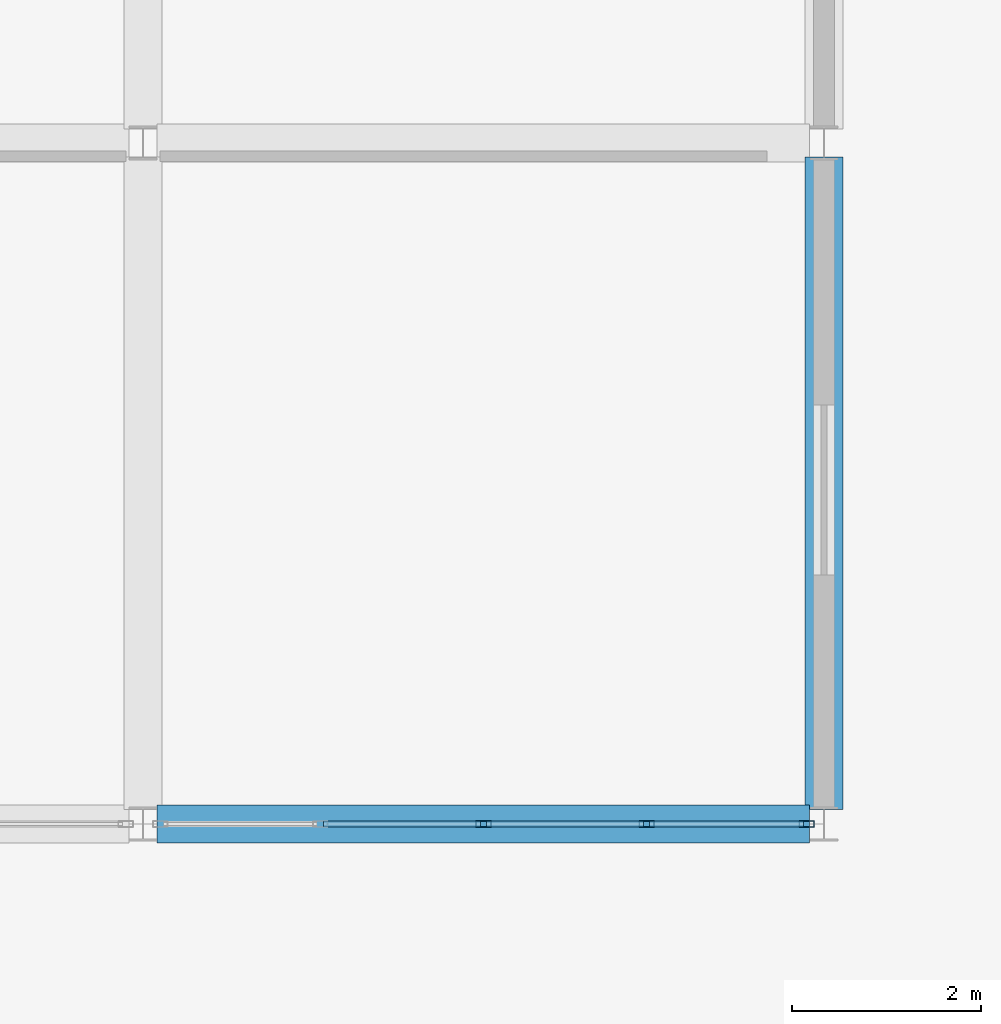
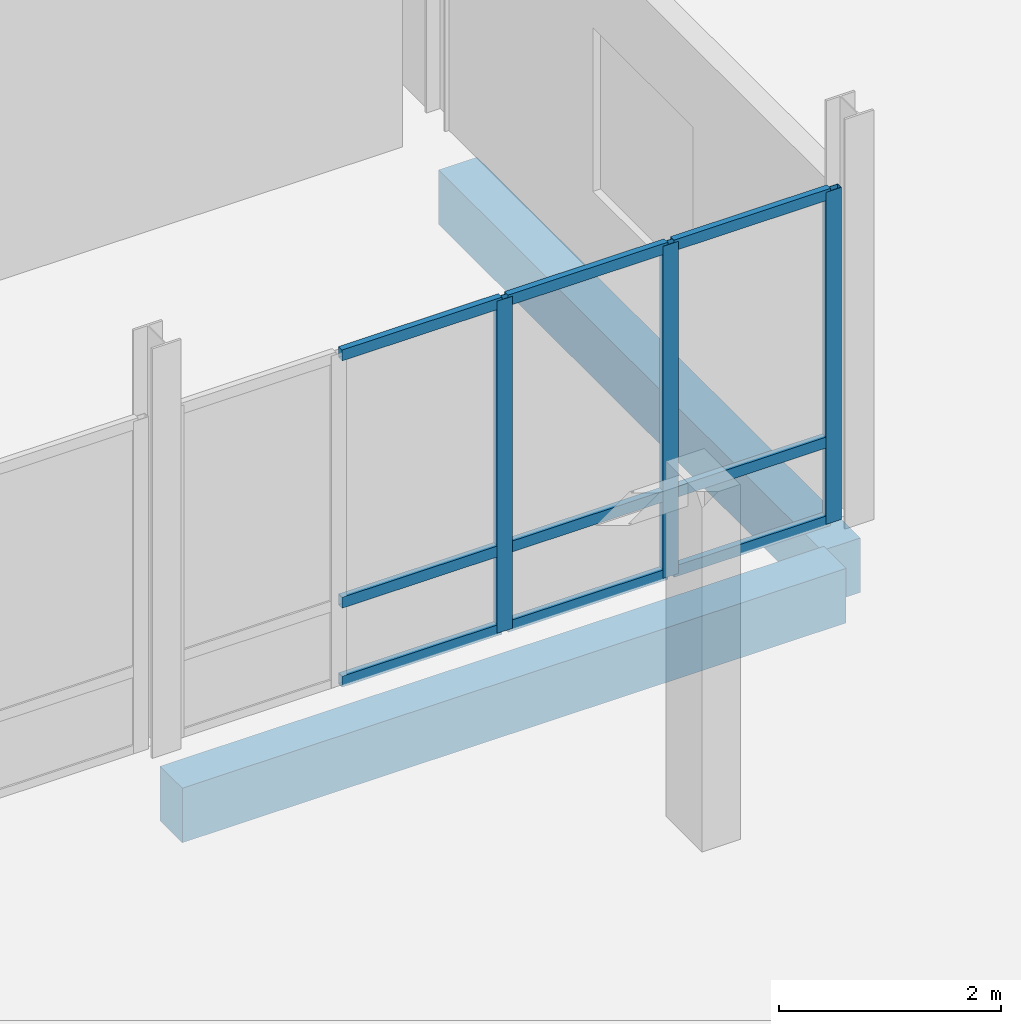
# One storey, part 83 of 139: 12 members, 2 beams, 1 element without a shape of its own.
"""IFC4 building model written with IfcOpenShell, lengths in metres."""

from ifc_helpers import new_model, si_unit, direction, frame, origin, origin_2d, place, context, subcontext, project, spatial, rectangle, hollow_rectangle, extrude, material, material_profile, profile_set, type_object, element, aggregate, save


model = new_model("IFC4")

# Units and contexts
model_context = context("Model", 3, precision=1e-05, world=origin(), true_north=direction((0.0, 1.0)))
body_context = subcontext(model_context, "Body", "Model", "MODEL_VIEW")
ifc_project = project(units=[si_unit("LENGTHUNIT", "METRE"), si_unit("AREAUNIT", "SQUARE_METRE"), si_unit("VOLUMEUNIT", "CUBIC_METRE"), si_unit("PLANEANGLEUNIT", "RADIAN"), si_unit("MASSUNIT", "GRAM", prefix="KILO")], contexts=[model_context])

# Site, building, storey
site_placement = place(None, origin())
site = spatial("IfcSite", under=ifc_project, at=site_placement, CompositionType="ELEMENT")
building_placement = place(site_placement, origin())
building = spatial("IfcBuilding", under=site, at=building_placement, Name="Suanplinth Sawtooth Commons", CompositionType="ELEMENT")
storey_placement = place(building_placement, origin())
storey = spatial("IfcBuildingStorey", under=building, at=storey_placement, Name="L00", CompositionType="ELEMENT", Elevation=0.0)

# Beams
ifc_material_1 = material(Name="Precast concrete C40/50", Category="concrete")
ifc_material_profile_1 = material_profile(ifc_material_1, rectangle(XDim=0.39990234375, YDim=0.60009765625, at=origin_2d()), Name="PC-GDR 400x600")
ifc_profile_set_1 = profile_set([ifc_material_profile_1], Name="Precast concrete C40/50")
beam_type = type_object("IfcBeamType", Name="B-05", PredefinedType="USERDEFINED", material=ifc_profile_set_1)
for number, where, z_axis, x_axis, name in (
    (1, (165.75, 50.39990234375, -0.719970703125), (1.0, 0.0, 0.0), (0.0, 1.0, 0.0), "BMX-L00-NURS-23-7"),
    (2, (172.800048828125, 50.550048828125, -0.719970703125), (0.0, 1.0, 0.0), (-1.0, 0.0, 0.0), "BMY-L00-NURS-24-7"),
):
    element("IfcBeam", number, at=place(storey_placement, frame(where, z_axis=z_axis, x_axis=x_axis)), inside=storey, type_object=beam_type, Name=name, ObjectType="GIRDER", PredefinedType="USERDEFINED", context=body_context, shape_type="SweptSolid", body=[
        extrude(rectangle(XDim=0.39990234375, YDim=0.60009765625, at=origin_2d()), origin(), (0.0, 0.0, 1.0), 6.89990234375),
    ])

# Curtain wall, members
ifc_material_2 = material(Name="Anodized aluminium and low-E glazing", Category="aluminium")
curtain_wall_type = type_object("IfcCurtainWallType", Name="CW-02", PredefinedType="USERDEFINED", material=ifc_material_2)
curtain_wall_placement = place(storey_placement, origin())
curtain_wall = element("IfcCurtainWall", 3, at=curtain_wall_placement, inside=storey, type_object=curtain_wall_type, Name="Curtain Wall CW-L00-NURS-S-23", ObjectType="CURTAIN WALL", PredefinedType="USERDEFINED")
ifc_material_3 = material(Name="Anodized aluminium 6063-T6", Category="aluminium")
ifc_material_profile_2 = material_profile(ifc_material_3, hollow_rectangle(XDim=0.06494140625, YDim=0.159912109375, WallThickness=0.00390625, at=origin_2d()), Name="ALU-MUL 65x160")
ifc_profile_set_2 = profile_set([ifc_material_profile_2], Name="Anodized aluminium 6063-T6")
member_type_1 = type_object("IfcMemberType", Name="M-13", PredefinedType="MULLION", material=ifc_profile_set_2)
member_1_placement = place(storey_placement, frame((169.199951171875, 50.39990234375, 0.0), z_axis=(0.0, 0.0, 1.0), x_axis=(0.0, 1.0, 0.0)))
member_1 = element("IfcMember", 4, at=member_1_placement, type_object=member_type_1, Name="CW-02 mullion 3", PredefinedType="MULLION", context=body_context, shape_type="SweptSolid", body=[
    extrude(hollow_rectangle(XDim=0.06494140625, YDim=0.159912109375, WallThickness=0.00390625, at=origin_2d()), origin(), (0.0, 0.0, 1.0), 3.64990234375),
])
member_2_placement = place(storey_placement, frame((170.925048828125, 50.39990234375, 0.0), z_axis=(0.0, 0.0, 1.0), x_axis=(0.0, 1.0, 0.0)))
member_2 = element("IfcMember", 5, at=member_2_placement, type_object=member_type_1, Name="CW-02 mullion 4", PredefinedType="MULLION", context=body_context, shape_type="SweptSolid", body=[
    extrude(hollow_rectangle(XDim=0.06494140625, YDim=0.159912109375, WallThickness=0.00390625, at=origin_2d()), origin(), (0.0, 0.0, 1.0), 3.64990234375),
])
member_3_placement = place(storey_placement, frame((172.617431640625, 50.39990234375, 0.0), z_axis=(0.0, 0.0, 1.0), x_axis=(0.0, 1.0, 0.0)))
member_3 = element("IfcMember", 6, at=member_3_placement, type_object=member_type_1, Name="CW-02 mullion 5", PredefinedType="MULLION", context=body_context, shape_type="SweptSolid", body=[
    extrude(hollow_rectangle(XDim=0.06494140625, YDim=0.159912109375, WallThickness=0.00390625, at=origin_2d()), origin(), (0.0, 0.0, 1.0), 3.64990234375),
])
ifc_material_profile_3 = material_profile(ifc_material_3, hollow_rectangle(XDim=0.06494140625, YDim=0.1201171875, WallThickness=0.00390625, at=origin_2d()), Name="ALU-TRN 65x120")
ifc_profile_set_3 = profile_set([ifc_material_profile_3], Name="Anodized aluminium 6063-T6")
member_type_2 = type_object("IfcMemberType", Name="M-15", PredefinedType="USERDEFINED", material=ifc_profile_set_3)
member_4_placement = place(storey_placement, frame((167.507568359375, 50.39990234375, 0.032470703125), z_axis=(1.0, 0.0, 0.0), x_axis=(0.0, 1.0, 0.0)))
member_4 = element("IfcMember", 7, at=member_4_placement, type_object=member_type_2, Name="CW-02 transom 2.1", ObjectType="TRANSOM", PredefinedType="USERDEFINED", context=body_context, shape_type="SweptSolid", body=[
    extrude(hollow_rectangle(XDim=0.06494140625, YDim=0.1201171875, WallThickness=0.00390625, at=origin_2d()), origin(), (0.0, 0.0, 1.0), 1.659912109375),
])
member_5_placement = place(storey_placement, frame((167.507568359375, 50.39990234375, 0.89990234375), z_axis=(1.0, 0.0, 0.0), x_axis=(0.0, 1.0, 0.0)))
member_5 = element("IfcMember", 8, at=member_5_placement, type_object=member_type_2, Name="CW-02 transom 2.2", ObjectType="TRANSOM", PredefinedType="USERDEFINED", context=body_context, shape_type="SweptSolid", body=[
    extrude(hollow_rectangle(XDim=0.06494140625, YDim=0.1201171875, WallThickness=0.00390625, at=origin_2d()), origin(), (0.0, 0.0, 1.0), 1.659912109375),
])
member_6_placement = place(storey_placement, frame((167.507568359375, 50.39990234375, 3.617431640625), z_axis=(1.0, 0.0, 0.0), x_axis=(0.0, 1.0, 0.0)))
member_6 = element("IfcMember", 9, at=member_6_placement, type_object=member_type_2, Name="CW-02 transom 2.3", ObjectType="TRANSOM", PredefinedType="USERDEFINED", context=body_context, shape_type="SweptSolid", body=[
    extrude(hollow_rectangle(XDim=0.06494140625, YDim=0.1201171875, WallThickness=0.00390625, at=origin_2d()), origin(), (0.0, 0.0, 1.0), 1.659912109375),
])
member_7_placement = place(storey_placement, frame((169.232421875, 50.39990234375, 0.032470703125), z_axis=(1.0, 0.0, 0.0), x_axis=(0.0, 1.0, 0.0)))
member_7 = element("IfcMember", 10, at=member_7_placement, type_object=member_type_2, Name="CW-02 transom 3.1", ObjectType="TRANSOM", PredefinedType="USERDEFINED", context=body_context, shape_type="SweptSolid", body=[
    extrude(hollow_rectangle(XDim=0.06494140625, YDim=0.1201171875, WallThickness=0.00390625, at=origin_2d()), origin(), (0.0, 0.0, 1.0), 1.66015625),
])
member_8_placement = place(storey_placement, frame((169.232421875, 50.39990234375, 0.89990234375), z_axis=(1.0, 0.0, 0.0), x_axis=(0.0, 1.0, 0.0)))
member_8 = element("IfcMember", 11, at=member_8_placement, type_object=member_type_2, Name="CW-02 transom 3.2", ObjectType="TRANSOM", PredefinedType="USERDEFINED", context=body_context, shape_type="SweptSolid", body=[
    extrude(hollow_rectangle(XDim=0.06494140625, YDim=0.1201171875, WallThickness=0.00390625, at=origin_2d()), origin(), (0.0, 0.0, 1.0), 1.66015625),
])
member_9_placement = place(storey_placement, frame((169.232421875, 50.39990234375, 3.617431640625), z_axis=(1.0, 0.0, 0.0), x_axis=(0.0, 1.0, 0.0)))
member_9 = element("IfcMember", 12, at=member_9_placement, type_object=member_type_2, Name="CW-02 transom 3.3", ObjectType="TRANSOM", PredefinedType="USERDEFINED", context=body_context, shape_type="SweptSolid", body=[
    extrude(hollow_rectangle(XDim=0.06494140625, YDim=0.1201171875, WallThickness=0.00390625, at=origin_2d()), origin(), (0.0, 0.0, 1.0), 1.66015625),
])
member_10_placement = place(storey_placement, frame((170.95751953125, 50.39990234375, 0.032470703125), z_axis=(1.0, 0.0, 0.0), x_axis=(0.0, 1.0, 0.0)))
member_10 = element("IfcMember", 13, at=member_10_placement, type_object=member_type_2, Name="CW-02 transom 4.1", ObjectType="TRANSOM", PredefinedType="USERDEFINED", context=body_context, shape_type="SweptSolid", body=[
    extrude(hollow_rectangle(XDim=0.06494140625, YDim=0.1201171875, WallThickness=0.00390625, at=origin_2d()), origin(), (0.0, 0.0, 1.0), 1.62744140625),
])
member_11_placement = place(storey_placement, frame((170.95751953125, 50.39990234375, 0.89990234375), z_axis=(1.0, 0.0, 0.0), x_axis=(0.0, 1.0, 0.0)))
member_11 = element("IfcMember", 14, at=member_11_placement, type_object=member_type_2, Name="CW-02 transom 4.2", ObjectType="TRANSOM", PredefinedType="USERDEFINED", context=body_context, shape_type="SweptSolid", body=[
    extrude(hollow_rectangle(XDim=0.06494140625, YDim=0.1201171875, WallThickness=0.00390625, at=origin_2d()), origin(), (0.0, 0.0, 1.0), 1.62744140625),
])
member_12_placement = place(storey_placement, frame((170.95751953125, 50.39990234375, 3.617431640625), z_axis=(1.0, 0.0, 0.0), x_axis=(0.0, 1.0, 0.0)))
member_12 = element("IfcMember", 15, at=member_12_placement, type_object=member_type_2, Name="CW-02 transom 4.3", ObjectType="TRANSOM", PredefinedType="USERDEFINED", context=body_context, shape_type="SweptSolid", body=[
    extrude(hollow_rectangle(XDim=0.06494140625, YDim=0.1201171875, WallThickness=0.00390625, at=origin_2d()), origin(), (0.0, 0.0, 1.0), 1.62744140625),
])
aggregate(curtain_wall, [member_1, member_2, member_3, member_4, member_5, member_6, member_7, member_8, member_9, member_10, member_11, member_12])

save(model, "model.ifc")
